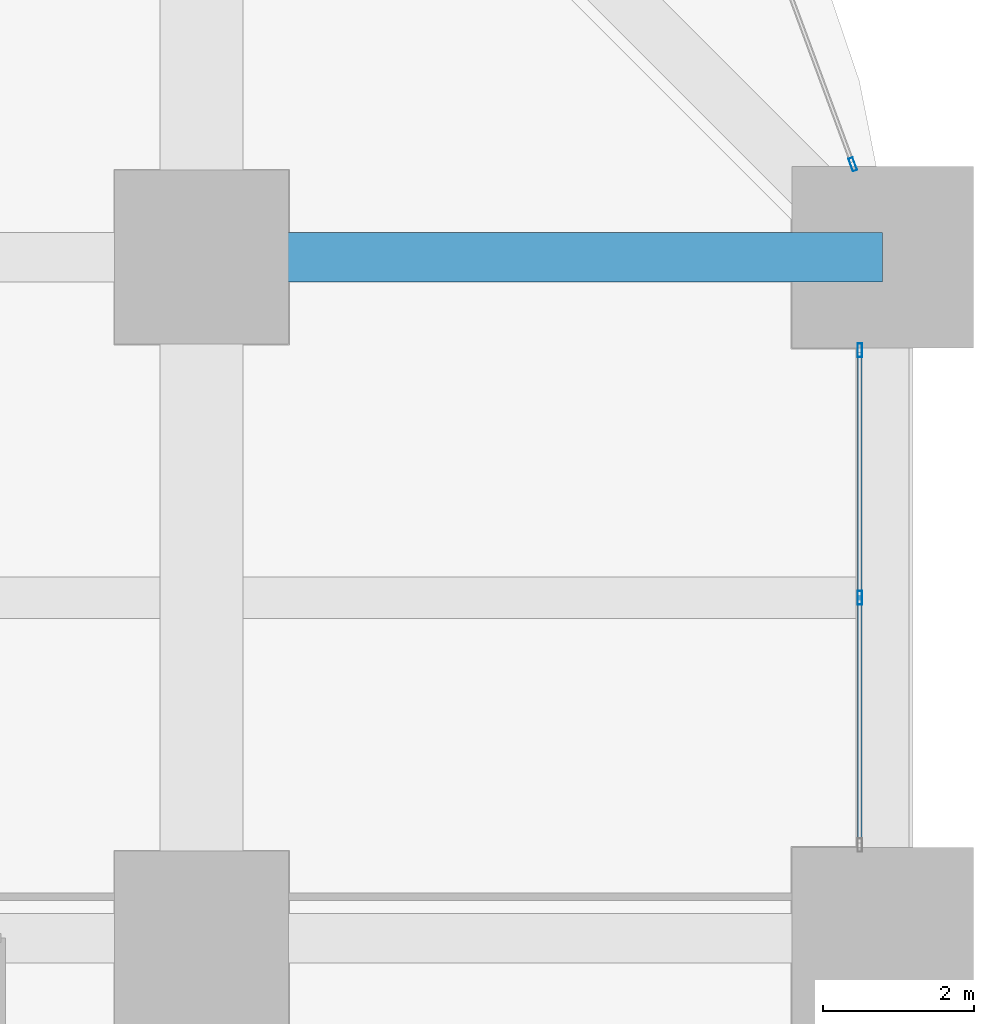
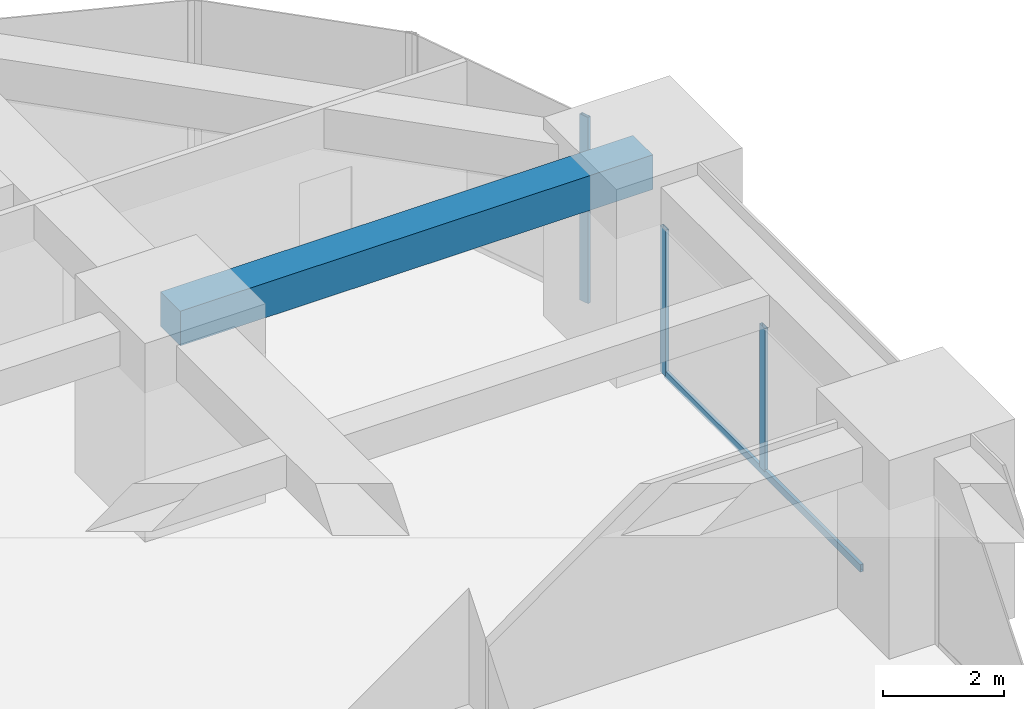
# One storey, part 34 of 44: 4 members, 1 beam, 2 elements without a shape of their own.
"""IFC4 building model written with IfcOpenShell, lengths in metres."""

from ifc_helpers import new_model, si_unit, direction, frame, origin, origin_2d, place, context, subcontext, project, spatial, rectangle, hollow_rectangle, extrude, material, material_profile, profile_set, type_object, element, aggregate, save


model = new_model("IFC4")

# Units and contexts
model_context = context("Model", 3, precision=1e-05, world=origin(), true_north=direction((0.0, 1.0)))
body_context = subcontext(model_context, "Body", "Model", "MODEL_VIEW")
ifc_project = project(units=[si_unit("LENGTHUNIT", "METRE"), si_unit("AREAUNIT", "SQUARE_METRE"), si_unit("VOLUMEUNIT", "CUBIC_METRE"), si_unit("PLANEANGLEUNIT", "RADIAN"), si_unit("MASSUNIT", "GRAM", prefix="KILO")], contexts=[model_context])

# Site, building, storey
site_placement = place(None, origin())
site = spatial("IfcSite", under=ifc_project, at=site_placement, CompositionType="ELEMENT")
building_placement = place(site_placement, origin())
building = spatial("IfcBuilding", under=site, at=building_placement, Name="Zorevar Civic Tower", CompositionType="ELEMENT")
storey_placement = place(building_placement, frame((0.0, 0.0, 43.800048828125)))
storey = spatial("IfcBuildingStorey", under=building, at=storey_placement, Name="L10", CompositionType="ELEMENT", Elevation=43.800048828125)

# Beam
ifc_material_1 = material(Name="Concrete C50/60", Category="concrete")
ifc_material_profile_1 = material_profile(ifc_material_1, rectangle(XDim=0.64990234375, YDim=0.699951171875, at=origin_2d()), Name="RC 650x700")
ifc_profile_set_1 = profile_set([ifc_material_profile_1], Name="Concrete C50/60")
beam_type = type_object("IfcBeamType", Name="Beam RC 650x700", PredefinedType="BEAM", material=ifc_profile_set_1)
beam_placement = place(storey_placement, frame((54.0, 45.0, 3.39990234375), z_axis=(1.0, 0.0, 0.0), x_axis=(0.0, 1.0, 0.0)))
element("IfcBeam", 1, at=beam_placement, inside=storey, type_object=beam_type, Name="Girder L11", PredefinedType="BEAM", context=body_context, shape_type="SweptSolid", body=[
    extrude(rectangle(XDim=0.64990234375, YDim=0.699951171875, at=origin_2d()), origin(), (0.0, 0.0, 1.0), 9.0),
])

# Curtain wall, members
ifc_material_2 = material(Name="Dark grey solar-control glass in black aluminium frame", Category="aluminium")
curtain_wall_type = type_object("IfcCurtainWallType", Name="Curtain wall CW2 low zone", PredefinedType="NOTDEFINED", material=ifc_material_2)
curtain_wall_1_placement = place(storey_placement, origin())
curtain_wall_1 = element("IfcCurtainWall", 2, at=curtain_wall_1_placement, inside=storey, type_object=curtain_wall_type, Name="CW2 L10", PredefinedType="NOTDEFINED")
ifc_material_3 = material(Name="Aluminium, black anodised", Category="aluminium")
ifc_material_profile_2 = material_profile(ifc_material_3, hollow_rectangle(XDim=0.06005859375, YDim=0.179931640625, WallThickness=0.00390625, at=origin_2d()), Name="AL 180x60x4")
ifc_profile_set_2 = profile_set([ifc_material_profile_2], Name="Aluminium, black anodised")
member_type_1 = type_object("IfcMemberType", Name="CW2 mullion AL 180x60x4", PredefinedType="MULLION", material=ifc_profile_set_2)
member_1_placement = place(storey_placement, frame((62.699951171875, 40.5, 0.06005859375), z_axis=(0.0, 0.0, 1.0), x_axis=(-1.0, 0.0, 0.0)))
member_1 = element("IfcMember", 3, at=member_1_placement, type_object=member_type_1, Name="CW2 mullion 2", PredefinedType="MULLION", context=body_context, shape_type="SweptSolid", body=[
    extrude(hollow_rectangle(XDim=0.06005859375, YDim=0.179931640625, WallThickness=0.00390625, at=origin_2d()), origin(), (0.0, 0.0, 1.0), 2.889892578125),
])
member_2_placement = place(storey_placement, frame((62.699951171875, 43.77001953125, 0.0), z_axis=(0.0, 0.0, 1.0), x_axis=(-1.0, 0.0, 0.0)))
member_2 = element("IfcMember", 4, at=member_2_placement, type_object=member_type_1, Name="CW2 mullion 3", PredefinedType="MULLION", context=body_context, shape_type="SweptSolid", body=[
    extrude(hollow_rectangle(XDim=0.06005859375, YDim=0.179931640625, WallThickness=0.00390625, at=origin_2d()), origin(), (0.0, 0.0, 1.0), 2.949951171875),
])

# Curtain wall, member
curtain_wall_2_placement = place(storey_placement, origin())
curtain_wall_2 = element("IfcCurtainWall", 5, at=curtain_wall_2_placement, inside=storey, type_object=curtain_wall_type, Name="CW2 L10", PredefinedType="NOTDEFINED")
member_3_placement = place(storey_placement, frame((62.6064453125, 46.22802734375, 0.0), z_axis=(0.0, 0.0, 1.0), x_axis=(-0.937974588163, -0.346704012033, 0.0)))
member_3 = element("IfcMember", 6, at=member_3_placement, type_object=member_type_1, Name="CW2 mullion 1", PredefinedType="MULLION", context=body_context, shape_type="SweptSolid", body=[
    extrude(hollow_rectangle(XDim=0.06005859375, YDim=0.179931640625, WallThickness=0.00390625, at=origin_2d()), origin(), (0.0, 0.0, 1.0), 3.75),
])
aggregate(curtain_wall_2, [member_3])

# Member
ifc_material_4 = material(Name="Aluminium, black anodised", Category="aluminium")
ifc_material_profile_3 = material_profile(ifc_material_4, hollow_rectangle(XDim=0.06005859375, YDim=0.14990234375, WallThickness=0.00390625, at=origin_2d()), Name="AL 150x60x4")
ifc_profile_set_3 = profile_set([ifc_material_profile_3], Name="Aluminium, black anodised")
member_type_2 = type_object("IfcMemberType", Name="CW2 transom AL 150x60x4", PredefinedType="USERDEFINED", material=ifc_profile_set_3)
member_4_placement = place(storey_placement, frame((62.699951171875, 37.260009765625, 0.030029296875), z_axis=(0.0, 1.0, 0.0), x_axis=(-1.0, 0.0, 0.0)))
member_4 = element("IfcMember", 7, at=member_4_placement, type_object=member_type_2, Name="CW2 sill transom", ObjectType="TRANSOM", PredefinedType="USERDEFINED", context=body_context, shape_type="SweptSolid", body=[
    extrude(hollow_rectangle(XDim=0.06005859375, YDim=0.14990234375, WallThickness=0.00390625, at=origin_2d()), origin(), (0.0, 0.0, 1.0), 6.47998046875),
])

aggregate(curtain_wall_1, [member_1, member_2, member_4])

save(model, "model.ifc")
